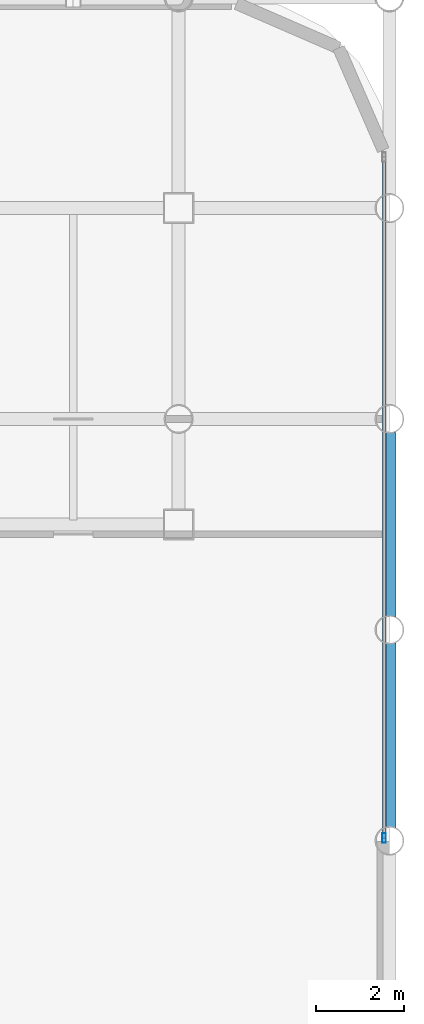
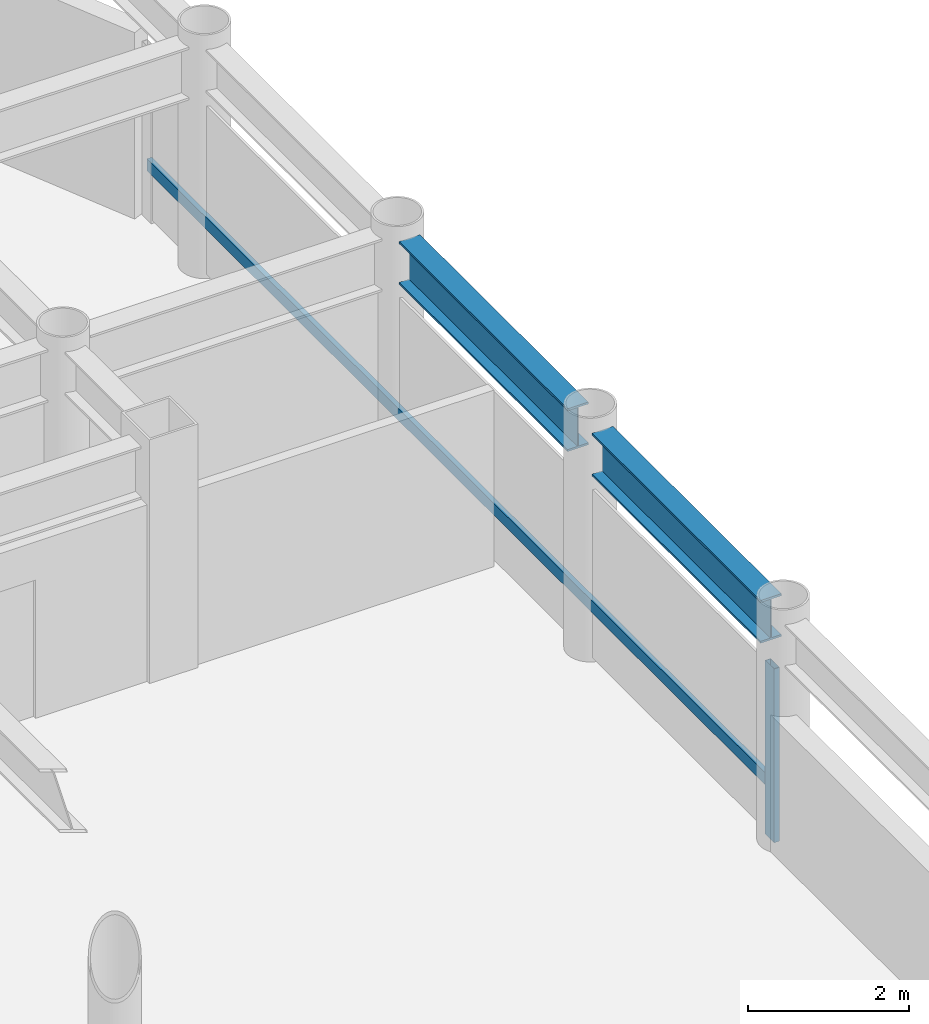
# One storey, part 8 of 20: 2 beams, 2 members, 1 element without a shape of its own.
"""IFC4 building model written with IfcOpenShell, lengths in metres."""

import ifcopenshell
import ifcopenshell.guid

model = None  # the IFC model being written
_history = None  # IfcOwnerHistory: only IFC2X3 demands one
_inside = {}  # id of a spatial element -> (the spatial element, [elements in it])
_under = {}  # id of a project, library or spatial element -> (it, [spatial elements below it])
_declared = {}  # id of a project -> (the project, [libraries it declares])
_typed = {}  # id of a type object -> (the type object, [elements of that type])
_made_of = {}  # id of a material, layer set ... -> (it, [elements and type objects made of it])


def new_model(schema):
    """Start an empty IFC model of exactly this schema.

    Asked for "IFC4X3", IfcOpenShell would pick the latest addendum, in which some entities
    have other attributes; the version numbers below select the first issue.
    IFC2X3 requires an IfcOwnerHistory on every rooted entity: one is made here for all.
    """
    global model, _history
    if schema == "IFC4X3":
        model = ifcopenshell.file(schema_version=(4, 3, 0, 0))
    else:
        model = ifcopenshell.file(schema=schema)
    _inside.clear()
    _under.clear()
    _declared.clear()
    _typed.clear()
    _made_of.clear()
    _history = None
    if model.schema == "IFC2X3":
        org = make("IfcOrganization", Name="unknown")
        user = make(
            "IfcPersonAndOrganization",
            ThePerson=make("IfcPerson", FamilyName="unknown"),
            TheOrganization=org,
        )
        app = make(
            "IfcApplication",
            ApplicationDeveloper=org,
            Version="unknown",
            ApplicationFullName="unknown",
            ApplicationIdentifier="unknown",
        )
        _history = make(
            "IfcOwnerHistory",
            OwningUser=user,
            OwningApplication=app,
            ChangeAction="ADDED",
            CreationDate=0,
        )
    return model


def make(cls, **values):
    """One entity of the class cls with the attributes given. An attribute that is None is left unset."""
    return model.create_entity(
        cls, **{name: value for name, value in values.items() if value is not None}
    )


def rooted(cls, **values):
    """An entity with a GlobalId (a new one), such as an element, a storey or a relation."""
    return make(cls, GlobalId=ifcopenshell.guid.new(), OwnerHistory=_history, **values)


def si_unit(unit_type, name, prefix=None):
    """IfcSIUnit, for example si_unit("LENGTHUNIT", "METRE", prefix="MILLI")."""
    return make("IfcSIUnit", UnitType=unit_type, Prefix=prefix, Name=name)


def assignment(units):
    """IfcUnitAssignment: the units of a project."""
    return None if units is None else make("IfcUnitAssignment", Units=units)


def point(xyz):
    """IfcCartesianPoint."""
    return None if xyz is None else make("IfcCartesianPoint", Coordinates=xyz)


def direction(xyz):
    """IfcDirection."""
    return None if xyz is None else make("IfcDirection", DirectionRatios=xyz)


def frame(location, z_axis=None, x_axis=None):
    """IfcAxis2Placement3D, a coordinate frame: its origin and axes. An axis left out is left unset."""
    return make(
        "IfcAxis2Placement3D",
        Location=point(location),
        Axis=direction(z_axis),
        RefDirection=direction(x_axis),
    )


def frame_2d(location, x_axis=None):
    """IfcAxis2Placement2D, a coordinate frame in the plane: its origin and x axis."""
    return make(
        "IfcAxis2Placement2D", Location=point(location), RefDirection=direction(x_axis)
    )


def origin():
    """The frame at (0, 0, 0) with its axes left unset."""
    return frame((0.0, 0.0, 0.0))


def origin_2d():
    """The frame at (0, 0) in the plane with its x axis left unset."""
    return frame_2d((0.0, 0.0))


def place(relative_to, where):
    """IfcLocalPlacement: puts the frame where relative to a parent placement (None: the world)."""
    return make(
        "IfcLocalPlacement", PlacementRelTo=relative_to, RelativePlacement=where
    )


def context(
    kind, dimensions, precision=None, world=None, true_north=None, identifier=None
):
    """IfcGeometricRepresentationContext, for example the 3D "Model" context."""
    return make(
        "IfcGeometricRepresentationContext",
        ContextIdentifier=identifier,
        ContextType=kind,
        CoordinateSpaceDimension=dimensions,
        Precision=precision,
        WorldCoordinateSystem=world,
        TrueNorth=true_north,
    )


def subcontext(parent, identifier, kind, view, scale=None):
    """IfcGeometricRepresentationSubContext, for example "Body" below "Model"."""
    return make(
        "IfcGeometricRepresentationSubContext",
        ContextIdentifier=identifier,
        ContextType=kind,
        ParentContext=parent,
        TargetScale=scale,
        TargetView=view,
    )


def project(units=None, contexts=None):
    """IfcProject with its units and contexts."""
    return rooted(
        "IfcProject",
        Name="project",
        RepresentationContexts=contexts,
        UnitsInContext=assignment(units),
    )


def spatial(cls, under=None, at=None, **own):
    """A site, building, storey or space (cls), placed at a placement, below another one or the project."""
    s = rooted(cls, ObjectPlacement=at, **own)
    if under is not None:
        _under.setdefault(under.id(), (under, []))[1].append(s)
    return s


def profile(cls, at=None, kind="AREA", **sizes):
    """A parametric profile (cls). Its sizes go by their IFC names, for example OverallWidth=200.0."""
    return make(cls, ProfileType=kind, Position=at, **sizes)


def hollow_rectangle(**sizes):
    """IfcRectangleHollowProfileDef."""
    return profile("IfcRectangleHollowProfileDef", **sizes)


def i_section(**sizes):
    """IfcIShapeProfileDef."""
    return profile("IfcIShapeProfileDef", **sizes)


def extrude(swept, where, along, depth):
    """IfcExtrudedAreaSolid: the profile swept, set in the frame where, extruded along a direction by depth."""
    return make(
        "IfcExtrudedAreaSolid",
        SweptArea=swept,
        Position=where,
        ExtrudedDirection=direction(along),
        Depth=depth,
    )


def shape(context_of_items, identifier, shape_type, items):
    """IfcShapeRepresentation: the items that make up one representation, for example the "Body"."""
    return make(
        "IfcShapeRepresentation",
        ContextOfItems=context_of_items,
        RepresentationIdentifier=identifier,
        RepresentationType=shape_type,
        Items=items,
    )


def material(Name=None, Category=None):
    """IfcMaterial."""
    return make("IfcMaterial", Name=Name, Category=Category)


def layer(
    of_material, thickness, ventilated=None, Name=None, Category=None, Priority=None
):
    """IfcMaterialLayer: one layer of a wall or slab, of a material (None: an air gap)."""
    return make(
        "IfcMaterialLayer",
        Material=of_material,
        LayerThickness=thickness,
        IsVentilated=ventilated,
        Name=Name,
        Category=Category,
        Priority=Priority,
    )


def layer_set(layers, Name=None):
    """IfcMaterialLayerSet."""
    return make("IfcMaterialLayerSet", MaterialLayers=layers, LayerSetName=Name)


def material_profile(
    of_material, cross_section, Name=None, Category=None, Priority=None
):
    """IfcMaterialProfile: a cross section and its material."""
    return make(
        "IfcMaterialProfile",
        Name=Name,
        Material=of_material,
        Profile=cross_section,
        Priority=Priority,
        Category=Category,
    )


def profile_set(profiles, Name=None, composite=None):
    """IfcMaterialProfileSet."""
    return make(
        "IfcMaterialProfileSet",
        Name=Name,
        MaterialProfiles=profiles,
        CompositeProfile=composite,
    )


def made_of(thing, what):
    """Note that an element or type object is made of a material, layer set ...; save() writes the relation."""
    if what is not None:
        _made_of.setdefault(what.id(), (what, []))[1].append(thing)
    return thing


def type_object(cls, material=None, **own):
    """A type object (cls), such as IfcWallType, which elements share."""
    return made_of(rooted(cls, **own), material)


def element(
    cls,
    number,
    at=None,
    inside=None,
    cuts=None,
    type_object=None,
    material=None,
    context=None,
    identifier="Body",
    shape_type=None,
    held_by="IfcProductDefinitionShape",
    body=None,
    shapes=None,
    **own,
):
    """One element of the class cls, such as IfcWall. Its Tag is "e" and its number.

    at: its placement. inside: the storey or other place that contains it. cuts: it is an
    opening in that element (IfcRelVoidsElement). A single representation is given by context,
    identifier, shape_type and body (its items); several are given by shapes. held_by: the class
    of the entity that holds the representations. save() writes the other relations.
    """
    e = rooted(cls, Tag="e%d" % number, ObjectPlacement=at, **own)
    if body is not None:
        shapes = [shape(context, identifier, shape_type, body)]
    if shapes is not None:
        e.Representation = make(held_by, Representations=shapes)
    if inside is not None:
        _inside.setdefault(inside.id(), (inside, []))[1].append(e)
    if cuts is not None:
        rooted(
            "IfcRelVoidsElement", RelatingBuildingElement=cuts, RelatedOpeningElement=e
        )
    if type_object is not None:
        _typed.setdefault(type_object.id(), (type_object, []))[1].append(e)
    return made_of(e, material)


def aggregate(whole, parts):
    """IfcRelAggregates: a whole, such as a stair, and the parts it consists of."""
    return rooted("IfcRelAggregates", RelatingObject=whole, RelatedObjects=parts)


def save(model, path):
    """Write the relations noted so far, then the file.

    IfcRelAggregates (storeys below a building ...), IfcRelContainedInSpatialStructure (elements
    in a storey), IfcRelDefinesByType, IfcRelAssociatesMaterial and IfcRelDeclares: one each for
    every whole, place, type object, material and project.
    """
    for whole, parts in _under.values():
        aggregate(whole, parts)
    for where, things in _inside.values():
        rooted(
            "IfcRelContainedInSpatialStructure",
            RelatedElements=things,
            RelatingStructure=where,
        )
    for kind, things in _typed.values():
        rooted("IfcRelDefinesByType", RelatedObjects=things, RelatingType=kind)
    for what, things in _made_of.values():
        rooted("IfcRelAssociatesMaterial", RelatedObjects=things, RelatingMaterial=what)
    for by, libraries in _declared.values():
        rooted("IfcRelDeclares", RelatingContext=by, RelatedDefinitions=libraries)
    model.write(path)


model = new_model("IFC4")

# Units and contexts
model_context = context("Model", 3, precision=1e-05, world=origin(), true_north=direction((0.0, 1.0)))
body_context = subcontext(model_context, "Body", "Model", "MODEL_VIEW")
ifc_project = project(units=[si_unit("LENGTHUNIT", "METRE"), si_unit("AREAUNIT", "SQUARE_METRE"), si_unit("VOLUMEUNIT", "CUBIC_METRE"), si_unit("PLANEANGLEUNIT", "RADIAN"), si_unit("MASSUNIT", "GRAM", prefix="KILO")], contexts=[model_context])

# Site, building, storey
site_placement = place(None, origin())
site = spatial("IfcSite", under=ifc_project, at=site_placement, CompositionType="ELEMENT")
building_placement = place(site_placement, origin())
building = spatial("IfcBuilding", under=site, at=building_placement, Name="Kallvorn Hotel Tower", CompositionType="ELEMENT")
storey_placement = place(building_placement, frame((0.0, 0.0, 176.60009765625)))
storey = spatial("IfcBuildingStorey", under=building, at=storey_placement, Name="L44", CompositionType="ELEMENT", Elevation=176.60009765625)

# Beams
ifc_material_1 = material(Name="Structural steel S355JR", Category="steel")
ifc_material_profile_1 = material_profile(ifc_material_1, i_section(OverallWidth=0.300048828125, OverallDepth=0.64990234375, WebThickness=0.01611328125, FlangeThickness=0.031005859375, at=origin_2d()), Name="HE 650 B")
ifc_profile_set_1 = profile_set([ifc_material_profile_1], Name="Structural steel S355JR")
beam_type = type_object("IfcBeamType", Name="BM_HE650B", PredefinedType="BEAM", material=ifc_profile_set_1)
beam_1_placement = place(storey_placement, frame((28.800048828125, 0.304931640625, 3.15478515625), z_axis=(0.0, 1.0, 0.0), x_axis=(-1.0, 0.0, 0.0)))
element("IfcBeam", 1, at=beam_1_placement, inside=storey, type_object=beam_type, Name="L45 Primary Y-Girder 147", PredefinedType="BEAM", context=body_context, shape_type="SweptSolid", body=[
    extrude(i_section(OverallWidth=0.300048828125, OverallDepth=0.64990234375, WebThickness=0.01611328125, FlangeThickness=0.031005859375, at=origin_2d()), origin(), (0.0, 0.0, 1.0), 4.190185546875),
])
beam_2_placement = place(storey_placement, frame((28.800048828125, 5.10498046875, 3.15478515625), z_axis=(0.0, 1.0, 0.0), x_axis=(-1.0, 0.0, 0.0)))
element("IfcBeam", 2, at=beam_2_placement, inside=storey, type_object=beam_type, Name="L45 Primary Y-Girder 148", PredefinedType="BEAM", context=body_context, shape_type="SweptSolid", body=[
    extrude(i_section(OverallWidth=0.300048828125, OverallDepth=0.64990234375, WebThickness=0.01611328125, FlangeThickness=0.031005859375, at=origin_2d()), origin(), (0.0, 0.0, 1.0), 4.18994140625),
])

# Curtain wall, members
ifc_material_2 = material(Name="Thermally broken black-anodised aluminium AA 6063-T6", Category="aluminium")
ifc_layer = layer(ifc_material_2, 0.2099609375)
ifc_layer_set = layer_set([ifc_layer], Name="CW_SYS_4_HOTEL_MID")
curtain_wall_type = type_object("IfcCurtainWallType", Name="CW_SYS_4_HOTEL_MID", PredefinedType="USERDEFINED", material=ifc_layer_set)
curtain_wall_placement = place(storey_placement, origin())
curtain_wall = element("IfcCurtainWall", 3, at=curtain_wall_placement, inside=storey, type_object=curtain_wall_type, Name="L44 Dark-Glass Curtain Wall CW-L44-EN", ObjectType="UNITISED CURTAIN WALL", PredefinedType="USERDEFINED")
ifc_material_3 = material(Name="Thermally broken black-anodised aluminium AA 6063-T6", Category="aluminium")
ifc_material_profile_2 = material_profile(ifc_material_3, hollow_rectangle(XDim=0.080078125, YDim=0.219970703125, WallThickness=0.0048828125, at=origin_2d()), Name="MUL 220x80")
ifc_profile_set_2 = profile_set([ifc_material_profile_2], Name="Thermally broken black-anodised aluminium AA 6063-T6")
member_type_1 = type_object("IfcMemberType", Name="CW_MULLION_220x80", PredefinedType="MULLION", material=ifc_profile_set_2)
member_1_placement = place(storey_placement, frame((28.679931640625, 0.06005859375, 0.02001953125), z_axis=(0.0, 0.0, 1.0), x_axis=(1.0, 0.0, 0.0)))
member_1 = element("IfcMember", 4, at=member_1_placement, type_object=member_type_1, Name="CW-L44-EN Mullion 00", PredefinedType="MULLION", context=body_context, shape_type="SweptSolid", body=[
    extrude(hollow_rectangle(XDim=0.080078125, YDim=0.219970703125, WallThickness=0.0048828125, at=origin_2d()), origin(), (0.0, 0.0, 1.0), 2.639892578125),
])
ifc_material_4 = material(Name="Thermally broken black-anodised aluminium AA 6063-T6", Category="aluminium")
ifc_material_profile_3 = material_profile(ifc_material_4, hollow_rectangle(XDim=0.070068359375, YDim=0.179931640625, WallThickness=0.00390625, at=origin_2d()), Name="TRN 180x70")
ifc_profile_set_3 = profile_set([ifc_material_profile_3], Name="Thermally broken black-anodised aluminium AA 6063-T6")
member_type_2 = type_object("IfcMemberType", Name="CW_TRANSOM_180x70", PredefinedType="USERDEFINED", material=ifc_profile_set_3)
member_2_placement = place(storey_placement, frame((28.679931640625, 0.06005859375, 0.849853515625), z_axis=(0.0, 1.0, 0.0), x_axis=(-1.0, 0.0, 0.0)))
member_2 = element("IfcMember", 5, at=member_2_placement, type_object=member_type_2, Name="CW-L44-EN Transom 00M", ObjectType="TRANSOM", PredefinedType="USERDEFINED", context=body_context, shape_type="SweptSolid", body=[
    extrude(hollow_rectangle(XDim=0.070068359375, YDim=0.179931640625, WallThickness=0.00390625, at=origin_2d()), origin(), (0.0, 0.0, 1.0), 15.5),
])
aggregate(curtain_wall, [member_1, member_2])

save(model, "model.ifc")
